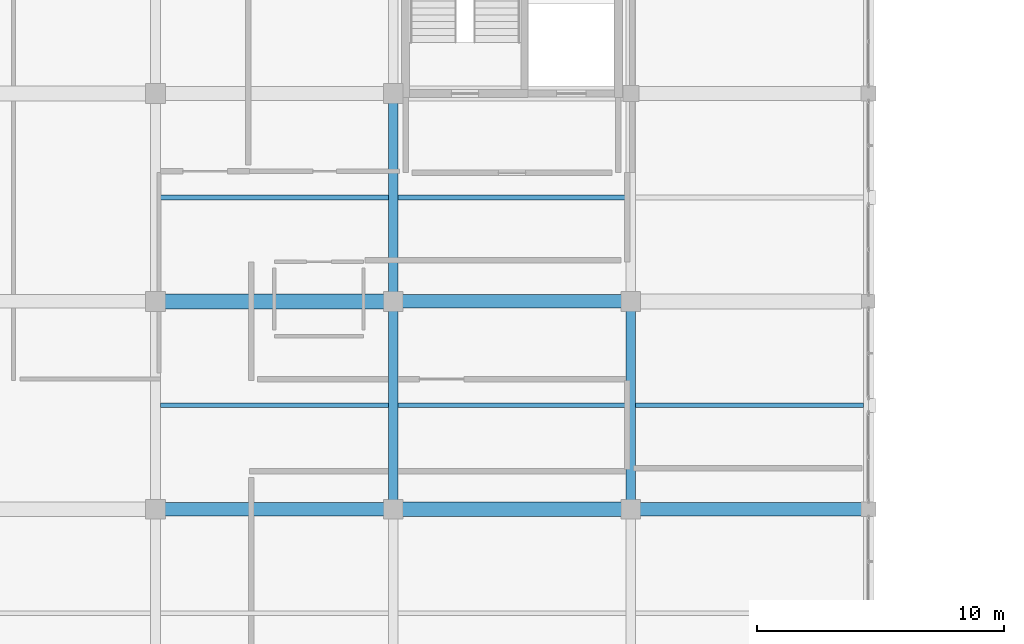
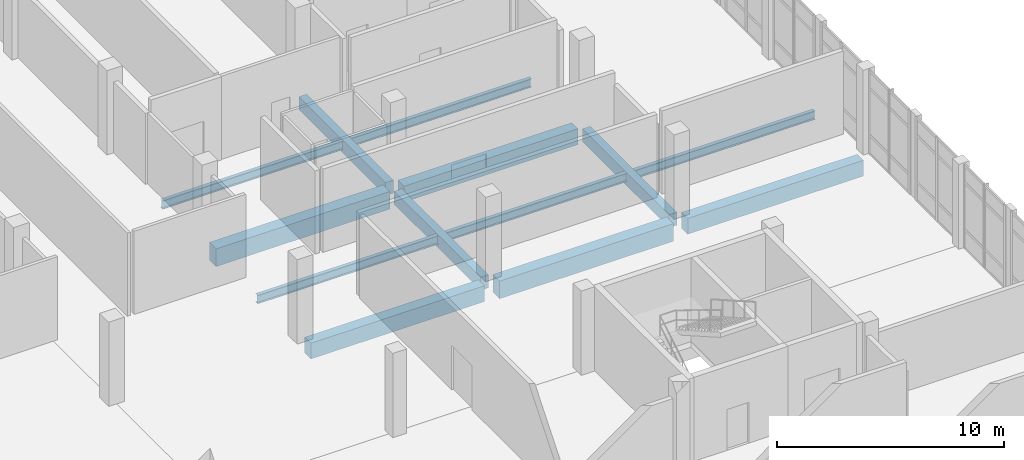
# One storey, part 66 of 102: 13 beams.
"""IFC4 building model written with IfcOpenShell, lengths in metres."""

from ifc_helpers import new_model, si_unit, direction, frame, origin, origin_2d, place, context, subcontext, project, spatial, rectangle, i_section, extrude, material, material_profile, profile_set, type_object, element, save


model = new_model("IFC4")

# Units and contexts
model_context = context("Model", 3, precision=1e-05, world=origin(), true_north=direction((0.0, 1.0)))
body_context = subcontext(model_context, "Body", "Model", "MODEL_VIEW")
ifc_project = project(units=[si_unit("LENGTHUNIT", "METRE"), si_unit("AREAUNIT", "SQUARE_METRE"), si_unit("VOLUMEUNIT", "CUBIC_METRE"), si_unit("PLANEANGLEUNIT", "RADIAN"), si_unit("MASSUNIT", "GRAM", prefix="KILO")], contexts=[model_context])

# Site, building, storey
site_placement = place(None, origin())
site = spatial("IfcSite", under=ifc_project, at=site_placement, CompositionType="ELEMENT")
building_placement = place(site_placement, origin())
building = spatial("IfcBuilding", under=site, at=building_placement, Name="Lornevale Opera House", CompositionType="ELEMENT")
storey_placement = place(building_placement, frame((0.0, 0.0, 5.39990234375)))
storey = spatial("IfcBuildingStorey", under=building, at=storey_placement, Name="L02", CompositionType="ELEMENT", Elevation=5.39990234375)

# Beams
ifc_material_1 = material(Name="Concrete 35 MPa (CSA A23.1 N)", Category="concrete")
ifc_material_profile_1 = material_profile(ifc_material_1, rectangle(XDim=0.39990234375, YDim=0.699951171875, at=origin_2d()), Name="RC400x700")
ifc_profile_set_1 = profile_set([ifc_material_profile_1], Name="Concrete 35 MPa (CSA A23.1 N)")
beam_type_1 = type_object("IfcBeamType", Name="Concrete Floor Beam 400x700", PredefinedType="USERDEFINED", material=ifc_profile_set_1)
beam_1_placement = place(storey_placement, frame((134.39990234375, 50.77490234375, -0.64990234375), z_axis=(0.0, 1.0, 0.0), x_axis=(-1.0, 0.0, 0.0)))
element("IfcBeam", 1, at=beam_1_placement, inside=storey, type_object=beam_type_1, Name="Concrete Floor Beam 400x700 1956", ObjectType="GIRDER", PredefinedType="USERDEFINED", context=body_context, shape_type="SweptSolid", body=[
    extrude(rectangle(XDim=0.39990234375, YDim=0.699951171875, at=origin_2d()), origin(), (0.0, 0.0, 1.0), 7.650146484375),
])
beam_2_placement = place(storey_placement, frame((134.39990234375, 59.175048828125, -0.64990234375), z_axis=(0.0, 1.0, 0.0), x_axis=(-1.0, 0.0, 0.0)))
element("IfcBeam", 2, at=beam_2_placement, inside=storey, type_object=beam_type_1, Name="Concrete Floor Beam 400x700 1957", ObjectType="GIRDER", PredefinedType="USERDEFINED", context=body_context, shape_type="SweptSolid", body=[
    extrude(rectangle(XDim=0.39990234375, YDim=0.699951171875, at=origin_2d()), origin(), (0.0, 0.0, 1.0), 7.64990234375),
])
beam_3_placement = place(storey_placement, frame((144.0, 50.77490234375, -0.64990234375), z_axis=(0.0, 1.0, 0.0), x_axis=(-1.0, 0.0, 0.0)))
element("IfcBeam", 3, at=beam_3_placement, inside=storey, type_object=beam_type_1, Name="Concrete Floor Beam 400x700 1965", ObjectType="GIRDER", PredefinedType="USERDEFINED", context=body_context, shape_type="SweptSolid", body=[
    extrude(rectangle(XDim=0.39990234375, YDim=0.699951171875, at=origin_2d()), origin(), (0.0, 0.0, 1.0), 7.650146484375),
])
ifc_material_profile_2 = material_profile(ifc_material_1, rectangle(XDim=0.550048828125, YDim=0.85009765625, at=origin_2d()), Name="RC550x850")
ifc_profile_set_2 = profile_set([ifc_material_profile_2], Name="Concrete 35 MPa (CSA A23.1 N)")
beam_type_2 = type_object("IfcBeamType", Name="Concrete Primary Girder 550x850", PredefinedType="USERDEFINED", material=ifc_profile_set_2)
beam_4_placement = place(storey_placement, frame((125.175048828125, 50.39990234375, -0.724853515625), z_axis=(1.0, 0.0, 0.0), x_axis=(0.0, 1.0, 0.0)))
element("IfcBeam", 4, at=beam_4_placement, inside=storey, type_object=beam_type_2, Name="Concrete Primary Girder 550x850 1742", ObjectType="GIRDER", PredefinedType="USERDEFINED", context=body_context, shape_type="SweptSolid", body=[
    extrude(rectangle(XDim=0.550048828125, YDim=0.85009765625, at=origin_2d()), origin(), (0.0, 0.0, 1.0), 8.849853515625),
])
beam_5_placement = place(storey_placement, frame((144.375, 50.39990234375, -0.724853515625), z_axis=(1.0, 0.0, 0.0), x_axis=(0.0, 1.0, 0.0)))
element("IfcBeam", 5, at=beam_5_placement, inside=storey, type_object=beam_type_2, Name="Concrete Primary Girder 550x850 1744", ObjectType="GIRDER", PredefinedType="USERDEFINED", context=body_context, shape_type="SweptSolid", body=[
    extrude(rectangle(XDim=0.550048828125, YDim=0.85009765625, at=origin_2d()), origin(), (0.0, 0.0, 1.0), 8.949951171875),
])
beam_6_placement = place(storey_placement, frame((134.77490234375, 58.800048828125, -0.724853515625), z_axis=(1.0, 0.0, 0.0), x_axis=(0.0, 1.0, 0.0)))
element("IfcBeam", 6, at=beam_6_placement, inside=storey, type_object=beam_type_2, Name="Concrete Primary Girder 550x850 1754", ObjectType="GIRDER", PredefinedType="USERDEFINED", context=body_context, shape_type="SweptSolid", body=[
    extrude(rectangle(XDim=0.550048828125, YDim=0.85009765625, at=origin_2d()), origin(), (0.0, 0.0, 1.0), 8.85009765625),
])
ifc_material_profile_3 = material_profile(ifc_material_1, rectangle(XDim=0.60009765625, YDim=0.949951171875, at=origin_2d()), Name="RC600x950")
ifc_profile_set_3 = profile_set([ifc_material_profile_3], Name="Concrete 35 MPa (CSA A23.1 N)")
beam_type_3 = type_object("IfcBeamType", Name="Concrete Primary Girder 600x950", PredefinedType="USERDEFINED", material=ifc_profile_set_3)
beam_7_placement = place(storey_placement, frame((134.77490234375, 50.39990234375, -0.77490234375), z_axis=(1.0, 0.0, 0.0), x_axis=(0.0, 1.0, 0.0)))
element("IfcBeam", 7, at=beam_7_placement, inside=storey, type_object=beam_type_3, Name="Concrete Primary Girder 600x950 1743", ObjectType="GIRDER", PredefinedType="USERDEFINED", context=body_context, shape_type="SweptSolid", body=[
    extrude(rectangle(XDim=0.60009765625, YDim=0.949951171875, at=origin_2d()), origin(), (0.0, 0.0, 1.0), 8.85009765625),
])
beam_8_placement = place(storey_placement, frame((125.175048828125, 58.800048828125, -0.77490234375), z_axis=(1.0, 0.0, 0.0), x_axis=(0.0, 1.0, 0.0)))
element("IfcBeam", 8, at=beam_8_placement, inside=storey, type_object=beam_type_3, Name="Concrete Primary Girder 600x950 1753", ObjectType="GIRDER", PredefinedType="USERDEFINED", context=body_context, shape_type="SweptSolid", body=[
    extrude(rectangle(XDim=0.60009765625, YDim=0.949951171875, at=origin_2d()), origin(), (0.0, 0.0, 1.0), 8.849853515625),
])
ifc_material_2 = material(Name="Structural Steel CSA G40.21 Grade 350W (350 MPa)", Category="steel")
ifc_material_profile_4 = material_profile(ifc_material_2, i_section(OverallWidth=0.19189453125, OverallDepth=0.462890625, WebThickness=0.010498046875, FlangeThickness=0.017578125, at=origin_2d()), Name="W460x89")
ifc_profile_set_4 = profile_set([ifc_material_profile_4], Name="Structural Steel CSA G40.21 Grade 350W (350 MPa)")
beam_type_4 = type_object("IfcBeamType", Name="Steel Floor Joist W460x89", PredefinedType="JOIST", material=ifc_profile_set_4)
for number, where, z_axis, x_axis, name in (
    (9, (125.0, 54.60009765625, -0.54638671875), (1.0, 0.0, 0.0), (0.0, 1.0, 0.0), "Steel Floor Joist W460x89 2061"),
    (10, (125.0, 63.0, -0.54638671875), (1.0, 0.0, 0.0), (0.0, 1.0, 0.0), "Steel Floor Joist W460x89 2062"),
    (11, (134.60009765625, 54.60009765625, -0.54638671875), (1.0, 0.0, 0.0), (0.0, 1.0, 0.0), "Steel Floor Joist W460x89 2069"),
    (12, (134.60009765625, 63.0, -0.54638671875), (1.0, 0.0, 0.0), (0.0, 1.0, 0.0), "Steel Floor Joist W460x89 2070"),
    (13, (144.199951171875, 54.60009765625, -0.54638671875), (1.0, 0.0, 0.0), (0.0, 1.0, 0.0), "Steel Floor Joist W460x89 2077"),
):
    element("IfcBeam", number, at=place(storey_placement, frame(where, z_axis=z_axis, x_axis=x_axis)), inside=storey, type_object=beam_type_4, Name=name, PredefinedType="JOIST", context=body_context, shape_type="SweptSolid", body=[
        extrude(i_section(OverallWidth=0.19189453125, OverallDepth=0.462890625, WebThickness=0.010498046875, FlangeThickness=0.017578125, at=origin_2d()), origin(), (0.0, 0.0, 1.0), 9.199951171875),
    ])

save(model, "model.ifc")
